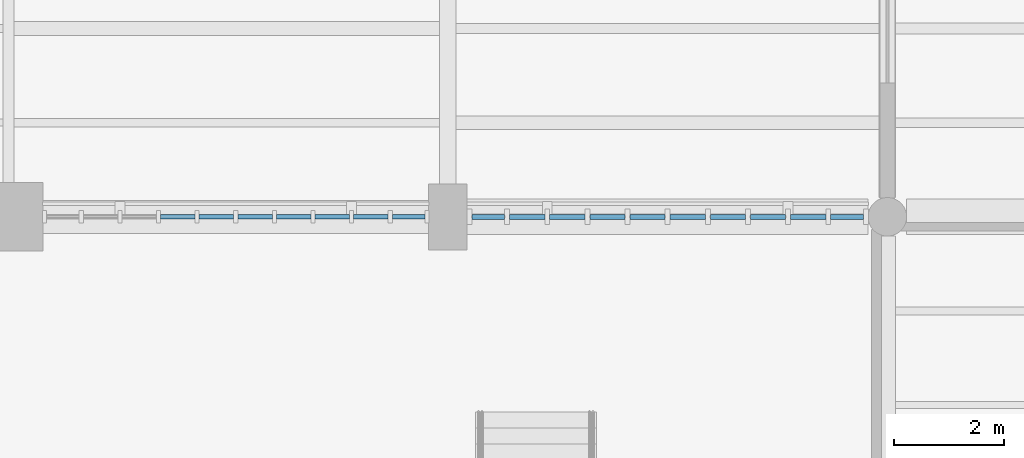
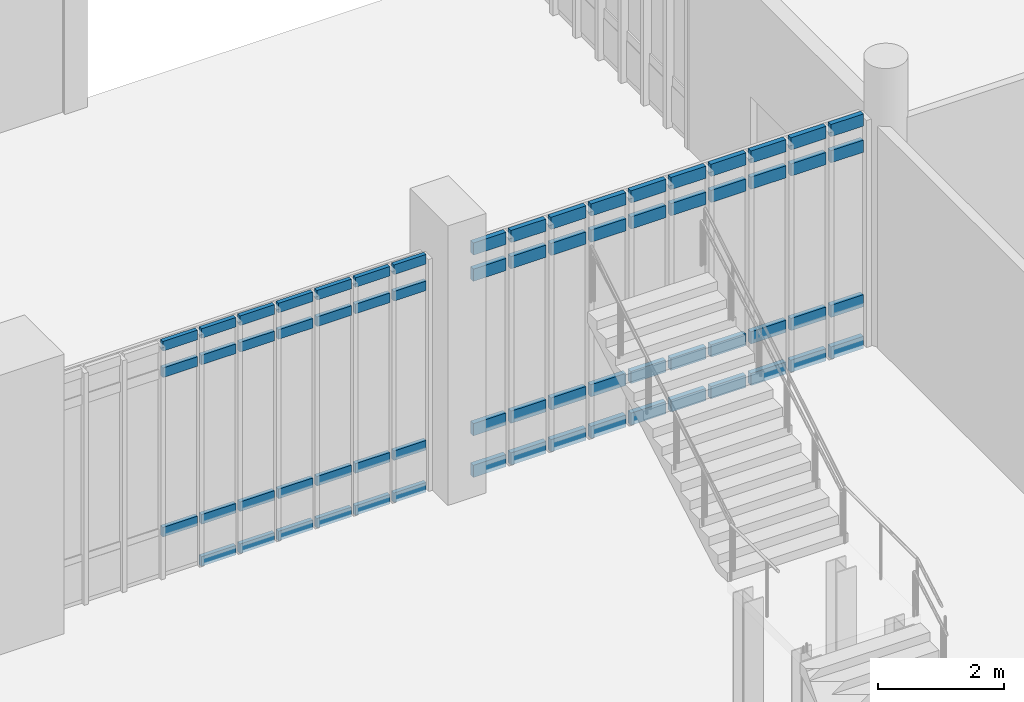
# One storey, part 41 of 111: 67 members, 2 elements without a shape of their own.
"""IFC4 building model written with IfcOpenShell, lengths in metres."""

from ifc_helpers import new_model, si_unit, direction, frame, origin, origin_2d, place, context, subcontext, project, spatial, rectangle, extrude, material, material_profile, profile_set, type_object, element, aggregate, save


model = new_model("IFC4")

# Units and contexts
model_context = context("Model", 3, precision=1e-05, world=origin(), true_north=direction((0.0, 1.0)))
body_context = subcontext(model_context, "Body", "Model", "MODEL_VIEW")
ifc_project = project(units=[si_unit("LENGTHUNIT", "METRE"), si_unit("AREAUNIT", "SQUARE_METRE"), si_unit("VOLUMEUNIT", "CUBIC_METRE"), si_unit("PLANEANGLEUNIT", "RADIAN"), si_unit("MASSUNIT", "GRAM", prefix="KILO")], contexts=[model_context])

# Site, building, storey
site_placement = place(None, origin())
site = spatial("IfcSite", under=ifc_project, at=site_placement, CompositionType="ELEMENT")
building_placement = place(site_placement, origin())
building = spatial("IfcBuilding", under=site, at=building_placement, Name="Larkvane Passage Sports Hall", CompositionType="ELEMENT")
storey_placement = place(building_placement, origin())
storey = spatial("IfcBuildingStorey", under=building, at=storey_placement, Name="L00", CompositionType="ELEMENT", Elevation=0.0)

# Curtain wall, members
ifc_material_1 = material(Name="Thermally broken aluminium and low-E glazing", Category="aluminium")
curtain_wall_type_1 = type_object("IfcCurtainWallType", Name="CW-UNIT-VEIL", PredefinedType="USERDEFINED", material=ifc_material_1)
curtain_wall_1_placement = place(storey_placement, origin())
curtain_wall_1 = element("IfcCurtainWall", 1, at=curtain_wall_1_placement, inside=storey, type_object=curtain_wall_type_1, Name="Curtain wall CW5-L00-017", ObjectType="UNITISED CURTAIN WALL", PredefinedType="USERDEFINED")
ifc_material_2 = material(Name="Anodised aluminium 6063-T6", Category="aluminium")
ifc_material_profile_1 = material_profile(ifc_material_2, rectangle(XDim=0.074951171875, YDim=0.18505859375, at=origin_2d()), Name="ALU-TRN-75x185")
ifc_profile_set_1 = profile_set([ifc_material_profile_1], Name="Anodised aluminium 6063-T6")
member_type_1 = type_object("IfcMemberType", Name="CW-TRN-75x185", PredefinedType="USERDEFINED", material=ifc_profile_set_1)
member_1_placement = place(storey_placement, frame((104.768310546875, 51.60009765625, 0.85009765625), z_axis=(1.0, 0.0, 0.0), x_axis=(0.0, 1.0, 0.0)))
member_1 = element("IfcMember", 2, at=member_1_placement, type_object=member_type_1, Name="CW-02 transom 4.2", ObjectType="TRANSOM", PredefinedType="USERDEFINED", context=body_context, shape_type="SweptSolid", body=[
    extrude(rectangle(XDim=0.074951171875, YDim=0.18505859375, at=origin_2d()), origin(), (0.0, 0.0, 1.0), 0.62841796875),
])
member_2_placement = place(storey_placement, frame((104.768310546875, 51.60009765625, 3.929931640625), z_axis=(1.0, 0.0, 0.0), x_axis=(0.0, 1.0, 0.0)))
member_2 = element("IfcMember", 3, at=member_2_placement, type_object=member_type_1, Name="CW-02 transom 4.3", ObjectType="TRANSOM", PredefinedType="USERDEFINED", context=body_context, shape_type="SweptSolid", body=[
    extrude(rectangle(XDim=0.074951171875, YDim=0.18505859375, at=origin_2d()), origin(), (0.0, 0.0, 1.0), 0.62841796875),
])
member_3_placement = place(storey_placement, frame((104.768310546875, 51.60009765625, 4.4423828125), z_axis=(1.0, 0.0, 0.0), x_axis=(0.0, 1.0, 0.0)))
member_3 = element("IfcMember", 4, at=member_3_placement, type_object=member_type_1, Name="CW-02 transom 4.4", ObjectType="TRANSOM", PredefinedType="USERDEFINED", context=body_context, shape_type="SweptSolid", body=[
    extrude(rectangle(XDim=0.074951171875, YDim=0.18505859375, at=origin_2d()), origin(), (0.0, 0.0, 1.0), 0.62841796875),
])
member_4_placement = place(storey_placement, frame((105.4716796875, 51.60009765625, 0.03759765625), z_axis=(1.0, 0.0, 0.0), x_axis=(0.0, 1.0, 0.0)))
member_4 = element("IfcMember", 5, at=member_4_placement, type_object=member_type_1, Name="CW-02 transom 5.1", ObjectType="TRANSOM", PredefinedType="USERDEFINED", context=body_context, shape_type="SweptSolid", body=[
    extrude(rectangle(XDim=0.074951171875, YDim=0.18505859375, at=origin_2d()), origin(), (0.0, 0.0, 1.0), 0.62841796875),
])
member_5_placement = place(storey_placement, frame((105.4716796875, 51.60009765625, 0.85009765625), z_axis=(1.0, 0.0, 0.0), x_axis=(0.0, 1.0, 0.0)))
member_5 = element("IfcMember", 6, at=member_5_placement, type_object=member_type_1, Name="CW-02 transom 5.2", ObjectType="TRANSOM", PredefinedType="USERDEFINED", context=body_context, shape_type="SweptSolid", body=[
    extrude(rectangle(XDim=0.074951171875, YDim=0.18505859375, at=origin_2d()), origin(), (0.0, 0.0, 1.0), 0.62841796875),
])
member_6_placement = place(storey_placement, frame((105.4716796875, 51.60009765625, 3.929931640625), z_axis=(1.0, 0.0, 0.0), x_axis=(0.0, 1.0, 0.0)))
member_6 = element("IfcMember", 7, at=member_6_placement, type_object=member_type_1, Name="CW-02 transom 5.3", ObjectType="TRANSOM", PredefinedType="USERDEFINED", context=body_context, shape_type="SweptSolid", body=[
    extrude(rectangle(XDim=0.074951171875, YDim=0.18505859375, at=origin_2d()), origin(), (0.0, 0.0, 1.0), 0.62841796875),
])
member_7_placement = place(storey_placement, frame((105.4716796875, 51.60009765625, 4.4423828125), z_axis=(1.0, 0.0, 0.0), x_axis=(0.0, 1.0, 0.0)))
member_7 = element("IfcMember", 8, at=member_7_placement, type_object=member_type_1, Name="CW-02 transom 5.4", ObjectType="TRANSOM", PredefinedType="USERDEFINED", context=body_context, shape_type="SweptSolid", body=[
    extrude(rectangle(XDim=0.074951171875, YDim=0.18505859375, at=origin_2d()), origin(), (0.0, 0.0, 1.0), 0.62841796875),
])
member_8_placement = place(storey_placement, frame((106.175048828125, 51.60009765625, 0.03759765625), z_axis=(1.0, 0.0, 0.0), x_axis=(0.0, 1.0, 0.0)))
member_8 = element("IfcMember", 9, at=member_8_placement, type_object=member_type_1, Name="CW-02 transom 6.1", ObjectType="TRANSOM", PredefinedType="USERDEFINED", context=body_context, shape_type="SweptSolid", body=[
    extrude(rectangle(XDim=0.074951171875, YDim=0.18505859375, at=origin_2d()), origin(), (0.0, 0.0, 1.0), 0.628173828125),
])
member_9_placement = place(storey_placement, frame((106.175048828125, 51.60009765625, 0.85009765625), z_axis=(1.0, 0.0, 0.0), x_axis=(0.0, 1.0, 0.0)))
member_9 = element("IfcMember", 10, at=member_9_placement, type_object=member_type_1, Name="CW-02 transom 6.2", ObjectType="TRANSOM", PredefinedType="USERDEFINED", context=body_context, shape_type="SweptSolid", body=[
    extrude(rectangle(XDim=0.074951171875, YDim=0.18505859375, at=origin_2d()), origin(), (0.0, 0.0, 1.0), 0.628173828125),
])
member_10_placement = place(storey_placement, frame((106.175048828125, 51.60009765625, 3.929931640625), z_axis=(1.0, 0.0, 0.0), x_axis=(0.0, 1.0, 0.0)))
member_10 = element("IfcMember", 11, at=member_10_placement, type_object=member_type_1, Name="CW-02 transom 6.3", ObjectType="TRANSOM", PredefinedType="USERDEFINED", context=body_context, shape_type="SweptSolid", body=[
    extrude(rectangle(XDim=0.074951171875, YDim=0.18505859375, at=origin_2d()), origin(), (0.0, 0.0, 1.0), 0.628173828125),
])
member_11_placement = place(storey_placement, frame((106.175048828125, 51.60009765625, 4.4423828125), z_axis=(1.0, 0.0, 0.0), x_axis=(0.0, 1.0, 0.0)))
member_11 = element("IfcMember", 12, at=member_11_placement, type_object=member_type_1, Name="CW-02 transom 6.4", ObjectType="TRANSOM", PredefinedType="USERDEFINED", context=body_context, shape_type="SweptSolid", body=[
    extrude(rectangle(XDim=0.074951171875, YDim=0.18505859375, at=origin_2d()), origin(), (0.0, 0.0, 1.0), 0.628173828125),
])
member_12_placement = place(storey_placement, frame((106.87841796875, 51.60009765625, 0.03759765625), z_axis=(1.0, 0.0, 0.0), x_axis=(0.0, 1.0, 0.0)))
member_12 = element("IfcMember", 13, at=member_12_placement, type_object=member_type_1, Name="CW-02 transom 7.1", ObjectType="TRANSOM", PredefinedType="USERDEFINED", context=body_context, shape_type="SweptSolid", body=[
    extrude(rectangle(XDim=0.074951171875, YDim=0.18505859375, at=origin_2d()), origin(), (0.0, 0.0, 1.0), 0.628173828125),
])
member_13_placement = place(storey_placement, frame((106.87841796875, 51.60009765625, 0.85009765625), z_axis=(1.0, 0.0, 0.0), x_axis=(0.0, 1.0, 0.0)))
member_13 = element("IfcMember", 14, at=member_13_placement, type_object=member_type_1, Name="CW-02 transom 7.2", ObjectType="TRANSOM", PredefinedType="USERDEFINED", context=body_context, shape_type="SweptSolid", body=[
    extrude(rectangle(XDim=0.074951171875, YDim=0.18505859375, at=origin_2d()), origin(), (0.0, 0.0, 1.0), 0.628173828125),
])
member_14_placement = place(storey_placement, frame((106.87841796875, 51.60009765625, 3.929931640625), z_axis=(1.0, 0.0, 0.0), x_axis=(0.0, 1.0, 0.0)))
member_14 = element("IfcMember", 15, at=member_14_placement, type_object=member_type_1, Name="CW-02 transom 7.3", ObjectType="TRANSOM", PredefinedType="USERDEFINED", context=body_context, shape_type="SweptSolid", body=[
    extrude(rectangle(XDim=0.074951171875, YDim=0.18505859375, at=origin_2d()), origin(), (0.0, 0.0, 1.0), 0.628173828125),
])
member_15_placement = place(storey_placement, frame((106.87841796875, 51.60009765625, 4.4423828125), z_axis=(1.0, 0.0, 0.0), x_axis=(0.0, 1.0, 0.0)))
member_15 = element("IfcMember", 16, at=member_15_placement, type_object=member_type_1, Name="CW-02 transom 7.4", ObjectType="TRANSOM", PredefinedType="USERDEFINED", context=body_context, shape_type="SweptSolid", body=[
    extrude(rectangle(XDim=0.074951171875, YDim=0.18505859375, at=origin_2d()), origin(), (0.0, 0.0, 1.0), 0.628173828125),
])
member_16_placement = place(storey_placement, frame((107.58154296875, 51.60009765625, 0.03759765625), z_axis=(1.0, 0.0, 0.0), x_axis=(0.0, 1.0, 0.0)))
member_16 = element("IfcMember", 17, at=member_16_placement, type_object=member_type_1, Name="CW-02 transom 8.1", ObjectType="TRANSOM", PredefinedType="USERDEFINED", context=body_context, shape_type="SweptSolid", body=[
    extrude(rectangle(XDim=0.074951171875, YDim=0.18505859375, at=origin_2d()), origin(), (0.0, 0.0, 1.0), 0.62841796875),
])
member_17_placement = place(storey_placement, frame((107.58154296875, 51.60009765625, 0.85009765625), z_axis=(1.0, 0.0, 0.0), x_axis=(0.0, 1.0, 0.0)))
member_17 = element("IfcMember", 18, at=member_17_placement, type_object=member_type_1, Name="CW-02 transom 8.2", ObjectType="TRANSOM", PredefinedType="USERDEFINED", context=body_context, shape_type="SweptSolid", body=[
    extrude(rectangle(XDim=0.074951171875, YDim=0.18505859375, at=origin_2d()), origin(), (0.0, 0.0, 1.0), 0.62841796875),
])
member_18_placement = place(storey_placement, frame((107.58154296875, 51.60009765625, 3.929931640625), z_axis=(1.0, 0.0, 0.0), x_axis=(0.0, 1.0, 0.0)))
member_18 = element("IfcMember", 19, at=member_18_placement, type_object=member_type_1, Name="CW-02 transom 8.3", ObjectType="TRANSOM", PredefinedType="USERDEFINED", context=body_context, shape_type="SweptSolid", body=[
    extrude(rectangle(XDim=0.074951171875, YDim=0.18505859375, at=origin_2d()), origin(), (0.0, 0.0, 1.0), 0.62841796875),
])
member_19_placement = place(storey_placement, frame((107.58154296875, 51.60009765625, 4.4423828125), z_axis=(1.0, 0.0, 0.0), x_axis=(0.0, 1.0, 0.0)))
member_19 = element("IfcMember", 20, at=member_19_placement, type_object=member_type_1, Name="CW-02 transom 8.4", ObjectType="TRANSOM", PredefinedType="USERDEFINED", context=body_context, shape_type="SweptSolid", body=[
    extrude(rectangle(XDim=0.074951171875, YDim=0.18505859375, at=origin_2d()), origin(), (0.0, 0.0, 1.0), 0.62841796875),
])
member_20_placement = place(storey_placement, frame((108.284912109375, 51.60009765625, 0.03759765625), z_axis=(1.0, 0.0, 0.0), x_axis=(0.0, 1.0, 0.0)))
member_20 = element("IfcMember", 21, at=member_20_placement, type_object=member_type_1, Name="CW-02 transom 9.1", ObjectType="TRANSOM", PredefinedType="USERDEFINED", context=body_context, shape_type="SweptSolid", body=[
    extrude(rectangle(XDim=0.074951171875, YDim=0.18505859375, at=origin_2d()), origin(), (0.0, 0.0, 1.0), 0.628173828125),
])
member_21_placement = place(storey_placement, frame((108.284912109375, 51.60009765625, 0.85009765625), z_axis=(1.0, 0.0, 0.0), x_axis=(0.0, 1.0, 0.0)))
member_21 = element("IfcMember", 22, at=member_21_placement, type_object=member_type_1, Name="CW-02 transom 9.2", ObjectType="TRANSOM", PredefinedType="USERDEFINED", context=body_context, shape_type="SweptSolid", body=[
    extrude(rectangle(XDim=0.074951171875, YDim=0.18505859375, at=origin_2d()), origin(), (0.0, 0.0, 1.0), 0.628173828125),
])
member_22_placement = place(storey_placement, frame((108.284912109375, 51.60009765625, 3.929931640625), z_axis=(1.0, 0.0, 0.0), x_axis=(0.0, 1.0, 0.0)))
member_22 = element("IfcMember", 23, at=member_22_placement, type_object=member_type_1, Name="CW-02 transom 9.3", ObjectType="TRANSOM", PredefinedType="USERDEFINED", context=body_context, shape_type="SweptSolid", body=[
    extrude(rectangle(XDim=0.074951171875, YDim=0.18505859375, at=origin_2d()), origin(), (0.0, 0.0, 1.0), 0.628173828125),
])
member_23_placement = place(storey_placement, frame((108.284912109375, 51.60009765625, 4.4423828125), z_axis=(1.0, 0.0, 0.0), x_axis=(0.0, 1.0, 0.0)))
member_23 = element("IfcMember", 24, at=member_23_placement, type_object=member_type_1, Name="CW-02 transom 9.4", ObjectType="TRANSOM", PredefinedType="USERDEFINED", context=body_context, shape_type="SweptSolid", body=[
    extrude(rectangle(XDim=0.074951171875, YDim=0.18505859375, at=origin_2d()), origin(), (0.0, 0.0, 1.0), 0.628173828125),
])
member_24_placement = place(storey_placement, frame((108.98828125, 51.60009765625, 0.03759765625), z_axis=(1.0, 0.0, 0.0), x_axis=(0.0, 1.0, 0.0)))
member_24 = element("IfcMember", 25, at=member_24_placement, type_object=member_type_1, Name="CW-02 transom 10.1", ObjectType="TRANSOM", PredefinedType="USERDEFINED", context=body_context, shape_type="SweptSolid", body=[
    extrude(rectangle(XDim=0.074951171875, YDim=0.18505859375, at=origin_2d()), origin(), (0.0, 0.0, 1.0), 0.5908203125),
])
member_25_placement = place(storey_placement, frame((108.98828125, 51.60009765625, 0.85009765625), z_axis=(1.0, 0.0, 0.0), x_axis=(0.0, 1.0, 0.0)))
member_25 = element("IfcMember", 26, at=member_25_placement, type_object=member_type_1, Name="CW-02 transom 10.2", ObjectType="TRANSOM", PredefinedType="USERDEFINED", context=body_context, shape_type="SweptSolid", body=[
    extrude(rectangle(XDim=0.074951171875, YDim=0.18505859375, at=origin_2d()), origin(), (0.0, 0.0, 1.0), 0.5908203125),
])
member_26_placement = place(storey_placement, frame((108.98828125, 51.60009765625, 3.929931640625), z_axis=(1.0, 0.0, 0.0), x_axis=(0.0, 1.0, 0.0)))
member_26 = element("IfcMember", 27, at=member_26_placement, type_object=member_type_1, Name="CW-02 transom 10.3", ObjectType="TRANSOM", PredefinedType="USERDEFINED", context=body_context, shape_type="SweptSolid", body=[
    extrude(rectangle(XDim=0.074951171875, YDim=0.18505859375, at=origin_2d()), origin(), (0.0, 0.0, 1.0), 0.5908203125),
])
member_27_placement = place(storey_placement, frame((108.98828125, 51.60009765625, 4.4423828125), z_axis=(1.0, 0.0, 0.0), x_axis=(0.0, 1.0, 0.0)))
member_27 = element("IfcMember", 28, at=member_27_placement, type_object=member_type_1, Name="CW-02 transom 10.4", ObjectType="TRANSOM", PredefinedType="USERDEFINED", context=body_context, shape_type="SweptSolid", body=[
    extrude(rectangle(XDim=0.074951171875, YDim=0.18505859375, at=origin_2d()), origin(), (0.0, 0.0, 1.0), 0.5908203125),
])
aggregate(curtain_wall_1, [member_1, member_2, member_3, member_4, member_5, member_6, member_7, member_8, member_9, member_10, member_11, member_12, member_13, member_14, member_15, member_16, member_17, member_18, member_19, member_20, member_21, member_22, member_23, member_24, member_25, member_26, member_27])

curtain_wall_type_2 = type_object("IfcCurtainWallType", Name="CW-STICK-FOYER", PredefinedType="USERDEFINED", material=ifc_material_1)
curtain_wall_2_placement = place(storey_placement, origin())
curtain_wall_2 = element("IfcCurtainWall", 29, at=curtain_wall_2_placement, inside=storey, type_object=curtain_wall_type_2, Name="Curtain wall CW5-L00-018", ObjectType="STICK CURTAIN WALL", PredefinedType="USERDEFINED")
ifc_material_profile_2 = material_profile(ifc_material_2, rectangle(XDim=0.090087890625, YDim=0.235107421875, at=origin_2d()), Name="ALU-TRN-90x235")
ifc_profile_set_2 = profile_set([ifc_material_profile_2], Name="Anodised aluminium 6063-T6")
member_type_2 = type_object("IfcMemberType", Name="CW-TRN-90x235", PredefinedType="USERDEFINED", material=ifc_profile_set_2)
member_28_placement = place(storey_placement, frame((110.43603515625, 51.60009765625, 0.044921875), z_axis=(1.0, 0.0, 0.0), x_axis=(0.0, 1.0, 0.0)))
member_28 = element("IfcMember", 30, at=member_28_placement, type_object=member_type_2, Name="CW-03 transom 1.1", ObjectType="TRANSOM", PredefinedType="USERDEFINED", context=body_context, shape_type="SweptSolid", body=[
    extrude(rectangle(XDim=0.090087890625, YDim=0.235107421875, at=origin_2d()), origin(), (0.0, 0.0, 1.0), 0.595703125),
])
member_29_placement = place(storey_placement, frame((110.43603515625, 51.60009765625, 0.85009765625), z_axis=(1.0, 0.0, 0.0), x_axis=(0.0, 1.0, 0.0)))
member_29 = element("IfcMember", 31, at=member_29_placement, type_object=member_type_2, Name="CW-03 transom 1.2", ObjectType="TRANSOM", PredefinedType="USERDEFINED", context=body_context, shape_type="SweptSolid", body=[
    extrude(rectangle(XDim=0.090087890625, YDim=0.235107421875, at=origin_2d()), origin(), (0.0, 0.0, 1.0), 0.595703125),
])
member_30_placement = place(storey_placement, frame((110.43603515625, 51.60009765625, 3.8359375), z_axis=(1.0, 0.0, 0.0), x_axis=(0.0, 1.0, 0.0)))
member_30 = element("IfcMember", 32, at=member_30_placement, type_object=member_type_2, Name="CW-03 transom 1.3", ObjectType="TRANSOM", PredefinedType="USERDEFINED", context=body_context, shape_type="SweptSolid", body=[
    extrude(rectangle(XDim=0.090087890625, YDim=0.235107421875, at=origin_2d()), origin(), (0.0, 0.0, 1.0), 0.595703125),
])
member_31_placement = place(storey_placement, frame((110.43603515625, 51.60009765625, 4.341064453125), z_axis=(1.0, 0.0, 0.0), x_axis=(0.0, 1.0, 0.0)))
member_31 = element("IfcMember", 33, at=member_31_placement, type_object=member_type_2, Name="CW-03 transom 1.4", ObjectType="TRANSOM", PredefinedType="USERDEFINED", context=body_context, shape_type="SweptSolid", body=[
    extrude(rectangle(XDim=0.090087890625, YDim=0.235107421875, at=origin_2d()), origin(), (0.0, 0.0, 1.0), 0.595703125),
])
member_32_placement = place(storey_placement, frame((111.121826171875, 51.60009765625, 0.044921875), z_axis=(1.0, 0.0, 0.0), x_axis=(0.0, 1.0, 0.0)))
member_32 = element("IfcMember", 34, at=member_32_placement, type_object=member_type_2, Name="CW-03 transom 2.1", ObjectType="TRANSOM", PredefinedType="USERDEFINED", context=body_context, shape_type="SweptSolid", body=[
    extrude(rectangle(XDim=0.090087890625, YDim=0.235107421875, at=origin_2d()), origin(), (0.0, 0.0, 1.0), 0.640869140625),
])
member_33_placement = place(storey_placement, frame((111.121826171875, 51.60009765625, 0.85009765625), z_axis=(1.0, 0.0, 0.0), x_axis=(0.0, 1.0, 0.0)))
member_33 = element("IfcMember", 35, at=member_33_placement, type_object=member_type_2, Name="CW-03 transom 2.2", ObjectType="TRANSOM", PredefinedType="USERDEFINED", context=body_context, shape_type="SweptSolid", body=[
    extrude(rectangle(XDim=0.090087890625, YDim=0.235107421875, at=origin_2d()), origin(), (0.0, 0.0, 1.0), 0.640869140625),
])
member_34_placement = place(storey_placement, frame((111.121826171875, 51.60009765625, 3.8359375), z_axis=(1.0, 0.0, 0.0), x_axis=(0.0, 1.0, 0.0)))
member_34 = element("IfcMember", 36, at=member_34_placement, type_object=member_type_2, Name="CW-03 transom 2.3", ObjectType="TRANSOM", PredefinedType="USERDEFINED", context=body_context, shape_type="SweptSolid", body=[
    extrude(rectangle(XDim=0.090087890625, YDim=0.235107421875, at=origin_2d()), origin(), (0.0, 0.0, 1.0), 0.640869140625),
])
member_35_placement = place(storey_placement, frame((111.121826171875, 51.60009765625, 4.341064453125), z_axis=(1.0, 0.0, 0.0), x_axis=(0.0, 1.0, 0.0)))
member_35 = element("IfcMember", 37, at=member_35_placement, type_object=member_type_2, Name="CW-03 transom 2.4", ObjectType="TRANSOM", PredefinedType="USERDEFINED", context=body_context, shape_type="SweptSolid", body=[
    extrude(rectangle(XDim=0.090087890625, YDim=0.235107421875, at=origin_2d()), origin(), (0.0, 0.0, 1.0), 0.640869140625),
])
member_36_placement = place(storey_placement, frame((111.8525390625, 51.60009765625, 0.044921875), z_axis=(1.0, 0.0, 0.0), x_axis=(0.0, 1.0, 0.0)))
member_36 = element("IfcMember", 38, at=member_36_placement, type_object=member_type_2, Name="CW-03 transom 3.1", ObjectType="TRANSOM", PredefinedType="USERDEFINED", context=body_context, shape_type="SweptSolid", body=[
    extrude(rectangle(XDim=0.090087890625, YDim=0.235107421875, at=origin_2d()), origin(), (0.0, 0.0, 1.0), 0.640869140625),
])
member_37_placement = place(storey_placement, frame((111.8525390625, 51.60009765625, 0.85009765625), z_axis=(1.0, 0.0, 0.0), x_axis=(0.0, 1.0, 0.0)))
member_37 = element("IfcMember", 39, at=member_37_placement, type_object=member_type_2, Name="CW-03 transom 3.2", ObjectType="TRANSOM", PredefinedType="USERDEFINED", context=body_context, shape_type="SweptSolid", body=[
    extrude(rectangle(XDim=0.090087890625, YDim=0.235107421875, at=origin_2d()), origin(), (0.0, 0.0, 1.0), 0.640869140625),
])
member_38_placement = place(storey_placement, frame((111.8525390625, 51.60009765625, 3.8359375), z_axis=(1.0, 0.0, 0.0), x_axis=(0.0, 1.0, 0.0)))
member_38 = element("IfcMember", 40, at=member_38_placement, type_object=member_type_2, Name="CW-03 transom 3.3", ObjectType="TRANSOM", PredefinedType="USERDEFINED", context=body_context, shape_type="SweptSolid", body=[
    extrude(rectangle(XDim=0.090087890625, YDim=0.235107421875, at=origin_2d()), origin(), (0.0, 0.0, 1.0), 0.640869140625),
])
member_39_placement = place(storey_placement, frame((111.8525390625, 51.60009765625, 4.341064453125), z_axis=(1.0, 0.0, 0.0), x_axis=(0.0, 1.0, 0.0)))
member_39 = element("IfcMember", 41, at=member_39_placement, type_object=member_type_2, Name="CW-03 transom 3.4", ObjectType="TRANSOM", PredefinedType="USERDEFINED", context=body_context, shape_type="SweptSolid", body=[
    extrude(rectangle(XDim=0.090087890625, YDim=0.235107421875, at=origin_2d()), origin(), (0.0, 0.0, 1.0), 0.640869140625),
])
member_40_placement = place(storey_placement, frame((112.58349609375, 51.60009765625, 0.044921875), z_axis=(1.0, 0.0, 0.0), x_axis=(0.0, 1.0, 0.0)))
member_40 = element("IfcMember", 42, at=member_40_placement, type_object=member_type_2, Name="CW-03 transom 4.1", ObjectType="TRANSOM", PredefinedType="USERDEFINED", context=body_context, shape_type="SweptSolid", body=[
    extrude(rectangle(XDim=0.090087890625, YDim=0.235107421875, at=origin_2d()), origin(), (0.0, 0.0, 1.0), 0.640625),
])
member_41_placement = place(storey_placement, frame((112.58349609375, 51.60009765625, 0.85009765625), z_axis=(1.0, 0.0, 0.0), x_axis=(0.0, 1.0, 0.0)))
member_41 = element("IfcMember", 43, at=member_41_placement, type_object=member_type_2, Name="CW-03 transom 4.2", ObjectType="TRANSOM", PredefinedType="USERDEFINED", context=body_context, shape_type="SweptSolid", body=[
    extrude(rectangle(XDim=0.090087890625, YDim=0.235107421875, at=origin_2d()), origin(), (0.0, 0.0, 1.0), 0.640625),
])
member_42_placement = place(storey_placement, frame((112.58349609375, 51.60009765625, 3.8359375), z_axis=(1.0, 0.0, 0.0), x_axis=(0.0, 1.0, 0.0)))
member_42 = element("IfcMember", 44, at=member_42_placement, type_object=member_type_2, Name="CW-03 transom 4.3", ObjectType="TRANSOM", PredefinedType="USERDEFINED", context=body_context, shape_type="SweptSolid", body=[
    extrude(rectangle(XDim=0.090087890625, YDim=0.235107421875, at=origin_2d()), origin(), (0.0, 0.0, 1.0), 0.640625),
])
member_43_placement = place(storey_placement, frame((112.58349609375, 51.60009765625, 4.341064453125), z_axis=(1.0, 0.0, 0.0), x_axis=(0.0, 1.0, 0.0)))
member_43 = element("IfcMember", 45, at=member_43_placement, type_object=member_type_2, Name="CW-03 transom 4.4", ObjectType="TRANSOM", PredefinedType="USERDEFINED", context=body_context, shape_type="SweptSolid", body=[
    extrude(rectangle(XDim=0.090087890625, YDim=0.235107421875, at=origin_2d()), origin(), (0.0, 0.0, 1.0), 0.640625),
])
member_44_placement = place(storey_placement, frame((113.314208984375, 51.60009765625, 0.044921875), z_axis=(1.0, 0.0, 0.0), x_axis=(0.0, 1.0, 0.0)))
member_44 = element("IfcMember", 46, at=member_44_placement, type_object=member_type_2, Name="CW-03 transom 5.1", ObjectType="TRANSOM", PredefinedType="USERDEFINED", context=body_context, shape_type="SweptSolid", body=[
    extrude(rectangle(XDim=0.090087890625, YDim=0.235107421875, at=origin_2d()), origin(), (0.0, 0.0, 1.0), 0.640869140625),
])
member_45_placement = place(storey_placement, frame((113.314208984375, 51.60009765625, 0.85009765625), z_axis=(1.0, 0.0, 0.0), x_axis=(0.0, 1.0, 0.0)))
member_45 = element("IfcMember", 47, at=member_45_placement, type_object=member_type_2, Name="CW-03 transom 5.2", ObjectType="TRANSOM", PredefinedType="USERDEFINED", context=body_context, shape_type="SweptSolid", body=[
    extrude(rectangle(XDim=0.090087890625, YDim=0.235107421875, at=origin_2d()), origin(), (0.0, 0.0, 1.0), 0.640869140625),
])
member_46_placement = place(storey_placement, frame((113.314208984375, 51.60009765625, 3.8359375), z_axis=(1.0, 0.0, 0.0), x_axis=(0.0, 1.0, 0.0)))
member_46 = element("IfcMember", 48, at=member_46_placement, type_object=member_type_2, Name="CW-03 transom 5.3", ObjectType="TRANSOM", PredefinedType="USERDEFINED", context=body_context, shape_type="SweptSolid", body=[
    extrude(rectangle(XDim=0.090087890625, YDim=0.235107421875, at=origin_2d()), origin(), (0.0, 0.0, 1.0), 0.640869140625),
])
member_47_placement = place(storey_placement, frame((113.314208984375, 51.60009765625, 4.341064453125), z_axis=(1.0, 0.0, 0.0), x_axis=(0.0, 1.0, 0.0)))
member_47 = element("IfcMember", 49, at=member_47_placement, type_object=member_type_2, Name="CW-03 transom 5.4", ObjectType="TRANSOM", PredefinedType="USERDEFINED", context=body_context, shape_type="SweptSolid", body=[
    extrude(rectangle(XDim=0.090087890625, YDim=0.235107421875, at=origin_2d()), origin(), (0.0, 0.0, 1.0), 0.640869140625),
])
member_48_placement = place(storey_placement, frame((114.044921875, 51.60009765625, 0.044921875), z_axis=(1.0, 0.0, 0.0), x_axis=(0.0, 1.0, 0.0)))
member_48 = element("IfcMember", 50, at=member_48_placement, type_object=member_type_2, Name="CW-03 transom 6.1", ObjectType="TRANSOM", PredefinedType="USERDEFINED", context=body_context, shape_type="SweptSolid", body=[
    extrude(rectangle(XDim=0.090087890625, YDim=0.235107421875, at=origin_2d()), origin(), (0.0, 0.0, 1.0), 0.640869140625),
])
member_49_placement = place(storey_placement, frame((114.044921875, 51.60009765625, 0.85009765625), z_axis=(1.0, 0.0, 0.0), x_axis=(0.0, 1.0, 0.0)))
member_49 = element("IfcMember", 51, at=member_49_placement, type_object=member_type_2, Name="CW-03 transom 6.2", ObjectType="TRANSOM", PredefinedType="USERDEFINED", context=body_context, shape_type="SweptSolid", body=[
    extrude(rectangle(XDim=0.090087890625, YDim=0.235107421875, at=origin_2d()), origin(), (0.0, 0.0, 1.0), 0.640869140625),
])
member_50_placement = place(storey_placement, frame((114.044921875, 51.60009765625, 3.8359375), z_axis=(1.0, 0.0, 0.0), x_axis=(0.0, 1.0, 0.0)))
member_50 = element("IfcMember", 52, at=member_50_placement, type_object=member_type_2, Name="CW-03 transom 6.3", ObjectType="TRANSOM", PredefinedType="USERDEFINED", context=body_context, shape_type="SweptSolid", body=[
    extrude(rectangle(XDim=0.090087890625, YDim=0.235107421875, at=origin_2d()), origin(), (0.0, 0.0, 1.0), 0.640869140625),
])
member_51_placement = place(storey_placement, frame((114.044921875, 51.60009765625, 4.341064453125), z_axis=(1.0, 0.0, 0.0), x_axis=(0.0, 1.0, 0.0)))
member_51 = element("IfcMember", 53, at=member_51_placement, type_object=member_type_2, Name="CW-03 transom 6.4", ObjectType="TRANSOM", PredefinedType="USERDEFINED", context=body_context, shape_type="SweptSolid", body=[
    extrude(rectangle(XDim=0.090087890625, YDim=0.235107421875, at=origin_2d()), origin(), (0.0, 0.0, 1.0), 0.640869140625),
])
member_52_placement = place(storey_placement, frame((114.77587890625, 51.60009765625, 0.044921875), z_axis=(1.0, 0.0, 0.0), x_axis=(0.0, 1.0, 0.0)))
member_52 = element("IfcMember", 54, at=member_52_placement, type_object=member_type_2, Name="CW-03 transom 7.1", ObjectType="TRANSOM", PredefinedType="USERDEFINED", context=body_context, shape_type="SweptSolid", body=[
    extrude(rectangle(XDim=0.090087890625, YDim=0.235107421875, at=origin_2d()), origin(), (0.0, 0.0, 1.0), 0.640625),
])
member_53_placement = place(storey_placement, frame((114.77587890625, 51.60009765625, 0.85009765625), z_axis=(1.0, 0.0, 0.0), x_axis=(0.0, 1.0, 0.0)))
member_53 = element("IfcMember", 55, at=member_53_placement, type_object=member_type_2, Name="CW-03 transom 7.2", ObjectType="TRANSOM", PredefinedType="USERDEFINED", context=body_context, shape_type="SweptSolid", body=[
    extrude(rectangle(XDim=0.090087890625, YDim=0.235107421875, at=origin_2d()), origin(), (0.0, 0.0, 1.0), 0.640625),
])
member_54_placement = place(storey_placement, frame((114.77587890625, 51.60009765625, 3.8359375), z_axis=(1.0, 0.0, 0.0), x_axis=(0.0, 1.0, 0.0)))
member_54 = element("IfcMember", 56, at=member_54_placement, type_object=member_type_2, Name="CW-03 transom 7.3", ObjectType="TRANSOM", PredefinedType="USERDEFINED", context=body_context, shape_type="SweptSolid", body=[
    extrude(rectangle(XDim=0.090087890625, YDim=0.235107421875, at=origin_2d()), origin(), (0.0, 0.0, 1.0), 0.640625),
])
member_55_placement = place(storey_placement, frame((114.77587890625, 51.60009765625, 4.341064453125), z_axis=(1.0, 0.0, 0.0), x_axis=(0.0, 1.0, 0.0)))
member_55 = element("IfcMember", 57, at=member_55_placement, type_object=member_type_2, Name="CW-03 transom 7.4", ObjectType="TRANSOM", PredefinedType="USERDEFINED", context=body_context, shape_type="SweptSolid", body=[
    extrude(rectangle(XDim=0.090087890625, YDim=0.235107421875, at=origin_2d()), origin(), (0.0, 0.0, 1.0), 0.640625),
])
member_56_placement = place(storey_placement, frame((115.506591796875, 51.60009765625, 0.044921875), z_axis=(1.0, 0.0, 0.0), x_axis=(0.0, 1.0, 0.0)))
member_56 = element("IfcMember", 58, at=member_56_placement, type_object=member_type_2, Name="CW-03 transom 8.1", ObjectType="TRANSOM", PredefinedType="USERDEFINED", context=body_context, shape_type="SweptSolid", body=[
    extrude(rectangle(XDim=0.090087890625, YDim=0.235107421875, at=origin_2d()), origin(), (0.0, 0.0, 1.0), 0.640869140625),
])
member_57_placement = place(storey_placement, frame((115.506591796875, 51.60009765625, 0.85009765625), z_axis=(1.0, 0.0, 0.0), x_axis=(0.0, 1.0, 0.0)))
member_57 = element("IfcMember", 59, at=member_57_placement, type_object=member_type_2, Name="CW-03 transom 8.2", ObjectType="TRANSOM", PredefinedType="USERDEFINED", context=body_context, shape_type="SweptSolid", body=[
    extrude(rectangle(XDim=0.090087890625, YDim=0.235107421875, at=origin_2d()), origin(), (0.0, 0.0, 1.0), 0.640869140625),
])
member_58_placement = place(storey_placement, frame((115.506591796875, 51.60009765625, 3.8359375), z_axis=(1.0, 0.0, 0.0), x_axis=(0.0, 1.0, 0.0)))
member_58 = element("IfcMember", 60, at=member_58_placement, type_object=member_type_2, Name="CW-03 transom 8.3", ObjectType="TRANSOM", PredefinedType="USERDEFINED", context=body_context, shape_type="SweptSolid", body=[
    extrude(rectangle(XDim=0.090087890625, YDim=0.235107421875, at=origin_2d()), origin(), (0.0, 0.0, 1.0), 0.640869140625),
])
member_59_placement = place(storey_placement, frame((115.506591796875, 51.60009765625, 4.341064453125), z_axis=(1.0, 0.0, 0.0), x_axis=(0.0, 1.0, 0.0)))
member_59 = element("IfcMember", 61, at=member_59_placement, type_object=member_type_2, Name="CW-03 transom 8.4", ObjectType="TRANSOM", PredefinedType="USERDEFINED", context=body_context, shape_type="SweptSolid", body=[
    extrude(rectangle(XDim=0.090087890625, YDim=0.235107421875, at=origin_2d()), origin(), (0.0, 0.0, 1.0), 0.640869140625),
])
member_60_placement = place(storey_placement, frame((116.2373046875, 51.60009765625, 0.044921875), z_axis=(1.0, 0.0, 0.0), x_axis=(0.0, 1.0, 0.0)))
member_60 = element("IfcMember", 62, at=member_60_placement, type_object=member_type_2, Name="CW-03 transom 9.1", ObjectType="TRANSOM", PredefinedType="USERDEFINED", context=body_context, shape_type="SweptSolid", body=[
    extrude(rectangle(XDim=0.090087890625, YDim=0.235107421875, at=origin_2d()), origin(), (0.0, 0.0, 1.0), 0.640869140625),
])
member_61_placement = place(storey_placement, frame((116.2373046875, 51.60009765625, 0.85009765625), z_axis=(1.0, 0.0, 0.0), x_axis=(0.0, 1.0, 0.0)))
member_61 = element("IfcMember", 63, at=member_61_placement, type_object=member_type_2, Name="CW-03 transom 9.2", ObjectType="TRANSOM", PredefinedType="USERDEFINED", context=body_context, shape_type="SweptSolid", body=[
    extrude(rectangle(XDim=0.090087890625, YDim=0.235107421875, at=origin_2d()), origin(), (0.0, 0.0, 1.0), 0.640869140625),
])
member_62_placement = place(storey_placement, frame((116.2373046875, 51.60009765625, 3.8359375), z_axis=(1.0, 0.0, 0.0), x_axis=(0.0, 1.0, 0.0)))
member_62 = element("IfcMember", 64, at=member_62_placement, type_object=member_type_2, Name="CW-03 transom 9.3", ObjectType="TRANSOM", PredefinedType="USERDEFINED", context=body_context, shape_type="SweptSolid", body=[
    extrude(rectangle(XDim=0.090087890625, YDim=0.235107421875, at=origin_2d()), origin(), (0.0, 0.0, 1.0), 0.640869140625),
])
member_63_placement = place(storey_placement, frame((116.2373046875, 51.60009765625, 4.341064453125), z_axis=(1.0, 0.0, 0.0), x_axis=(0.0, 1.0, 0.0)))
member_63 = element("IfcMember", 65, at=member_63_placement, type_object=member_type_2, Name="CW-03 transom 9.4", ObjectType="TRANSOM", PredefinedType="USERDEFINED", context=body_context, shape_type="SweptSolid", body=[
    extrude(rectangle(XDim=0.090087890625, YDim=0.235107421875, at=origin_2d()), origin(), (0.0, 0.0, 1.0), 0.640869140625),
])
member_64_placement = place(storey_placement, frame((116.96826171875, 51.60009765625, 0.044921875), z_axis=(1.0, 0.0, 0.0), x_axis=(0.0, 1.0, 0.0)))
member_64 = element("IfcMember", 66, at=member_64_placement, type_object=member_type_2, Name="CW-03 transom 10.1", ObjectType="TRANSOM", PredefinedType="USERDEFINED", context=body_context, shape_type="SweptSolid", body=[
    extrude(rectangle(XDim=0.090087890625, YDim=0.235107421875, at=origin_2d()), origin(), (0.0, 0.0, 1.0), 0.595703125),
])
member_65_placement = place(storey_placement, frame((116.96826171875, 51.60009765625, 0.85009765625), z_axis=(1.0, 0.0, 0.0), x_axis=(0.0, 1.0, 0.0)))
member_65 = element("IfcMember", 67, at=member_65_placement, type_object=member_type_2, Name="CW-03 transom 10.2", ObjectType="TRANSOM", PredefinedType="USERDEFINED", context=body_context, shape_type="SweptSolid", body=[
    extrude(rectangle(XDim=0.090087890625, YDim=0.235107421875, at=origin_2d()), origin(), (0.0, 0.0, 1.0), 0.595703125),
])
member_66_placement = place(storey_placement, frame((116.96826171875, 51.60009765625, 3.8359375), z_axis=(1.0, 0.0, 0.0), x_axis=(0.0, 1.0, 0.0)))
member_66 = element("IfcMember", 68, at=member_66_placement, type_object=member_type_2, Name="CW-03 transom 10.3", ObjectType="TRANSOM", PredefinedType="USERDEFINED", context=body_context, shape_type="SweptSolid", body=[
    extrude(rectangle(XDim=0.090087890625, YDim=0.235107421875, at=origin_2d()), origin(), (0.0, 0.0, 1.0), 0.595703125),
])
member_67_placement = place(storey_placement, frame((116.96826171875, 51.60009765625, 4.341064453125), z_axis=(1.0, 0.0, 0.0), x_axis=(0.0, 1.0, 0.0)))
member_67 = element("IfcMember", 69, at=member_67_placement, type_object=member_type_2, Name="CW-03 transom 10.4", ObjectType="TRANSOM", PredefinedType="USERDEFINED", context=body_context, shape_type="SweptSolid", body=[
    extrude(rectangle(XDim=0.090087890625, YDim=0.235107421875, at=origin_2d()), origin(), (0.0, 0.0, 1.0), 0.595703125),
])
aggregate(curtain_wall_2, [member_28, member_29, member_30, member_31, member_32, member_33, member_34, member_35, member_36, member_37, member_38, member_39, member_40, member_41, member_42, member_43, member_44, member_45, member_46, member_47, member_48, member_49, member_50, member_51, member_52, member_53, member_54, member_55, member_56, member_57, member_58, member_59, member_60, member_61, member_62, member_63, member_64, member_65, member_66, member_67])

save(model, "model.ifc")
